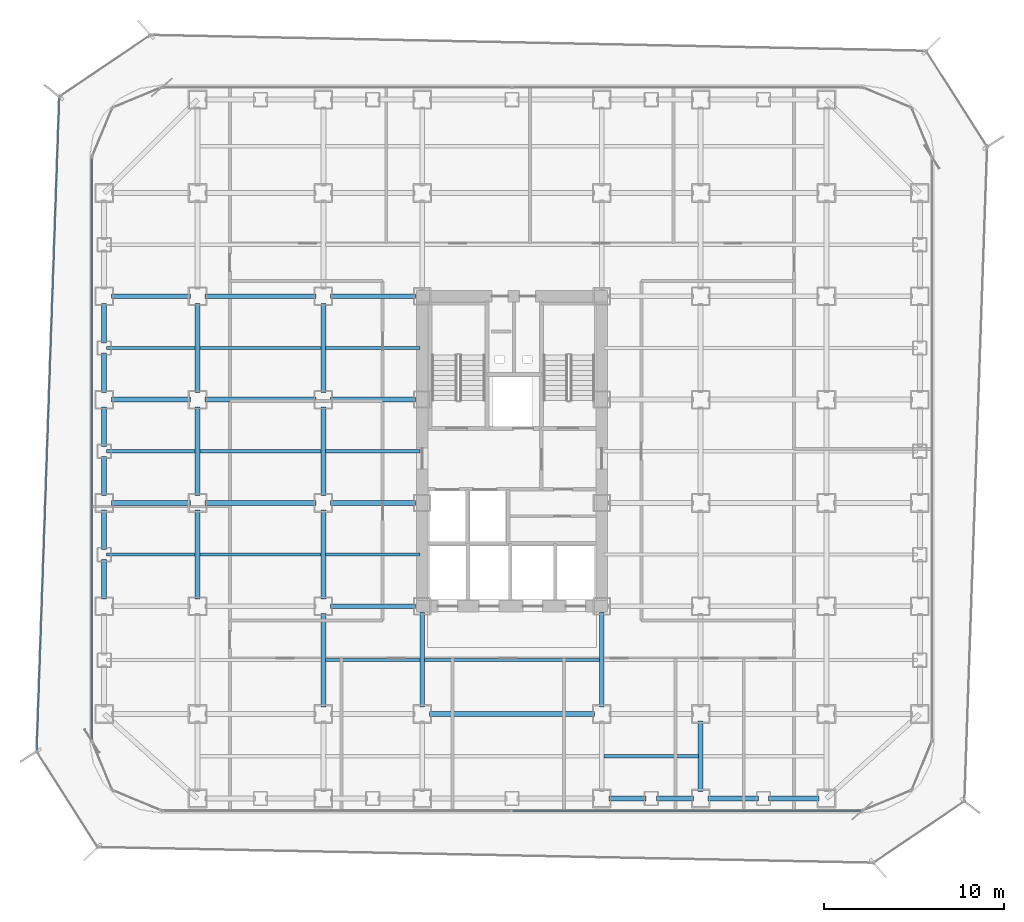
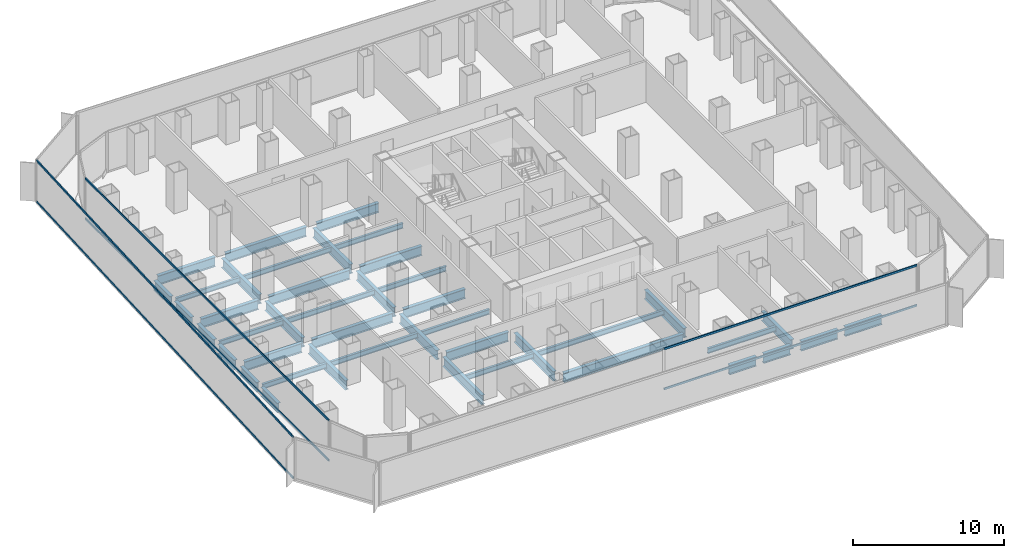
# One storey, part 5 of 22: 43 beams, 6 members, 3 elements without a shape of their own.
"""IFC4 building model written with IfcOpenShell, lengths in metres."""

from ifc_helpers import new_model, si_unit, direction, frame, origin, origin_2d, place, context, subcontext, project, spatial, hollow_rectangle, i_section, extrude, source, transform, mapped, material, layer, layer_set, material_profile, profile_set, type_object, element, aggregate, save


model = new_model("IFC4")

# Units and contexts
model_context = context("Model", 3, precision=1e-05, world=origin(), true_north=direction((0.0, 1.0)))
body_context = subcontext(model_context, "Body", "Model", "MODEL_VIEW")
ifc_project = project(units=[si_unit("LENGTHUNIT", "METRE"), si_unit("AREAUNIT", "SQUARE_METRE"), si_unit("VOLUMEUNIT", "CUBIC_METRE"), si_unit("PLANEANGLEUNIT", "RADIAN"), si_unit("MASSUNIT", "GRAM", prefix="KILO")], contexts=[model_context])

# Site, building, storey
site_placement = place(None, origin())
site = spatial("IfcSite", under=ifc_project, at=site_placement, CompositionType="ELEMENT")
building_placement = place(site_placement, origin())
building = spatial("IfcBuilding", under=site, at=building_placement, Name="Kolveth Station Tower", CompositionType="ELEMENT")
storey_placement = place(building_placement, frame((0.0, 0.0, 65.699951171875)))
storey = spatial("IfcBuildingStorey", under=building, at=storey_placement, Name="L17", CompositionType="ELEMENT", Elevation=65.699951171875)

# Beams
ifc_material_1 = material(Name="Steel S355", Category="steel")
ifc_material_profile_1 = material_profile(ifc_material_1, i_section(OverallWidth=0.26904296875, OverallDepth=0.77490234375, WebThickness=0.01708984375, FlangeThickness=0.0283203125, at=origin_2d()), Name="W760x220")
ifc_profile_set_1 = profile_set([ifc_material_profile_1], Name="Steel S355")
beam_type_1 = type_object("IfcBeamType", Name="Beam_SP1", PredefinedType="SPANDREL", material=ifc_profile_set_1)
shared_shape_1 = source(origin(), body_context, "Body", "SweptSolid", [
    extrude(i_section(OverallWidth=0.26904296875, OverallDepth=0.77490234375, WebThickness=0.01708984375, FlangeThickness=0.0283203125, at=origin_2d()), origin(), (0.0, 0.0, 1.0), 2.820068359375),
])
for number, where, z_axis, x_axis, name in (
    (1, (34.39990234375, 0.800048828125, -0.66748046875), (1.0, 0.0, 0.0), (0.0, 1.0, 0.0), "L17 Perimeter Spandrel BM-L17-PS-9"),
    (2, (37.780029296875, 0.800048828125, -0.66748046875), (1.0, 0.0, 0.0), (0.0, 1.0, 0.0), "L17 Perimeter Spandrel BM-L17-PS-10"),
):
    element("IfcBeam", number, at=place(storey_placement, frame(where, z_axis=z_axis, x_axis=x_axis)), inside=storey, type_object=beam_type_1, Name=name, PredefinedType="SPANDREL", context=body_context, shape_type="MappedRepresentation", body=[
        mapped(shared_shape_1, transform((0.0, 0.0, 0.0), x_axis=(1.0, 0.0, 0.0), y_axis=(0.0, 1.0, 0.0), z_axis=(0.0, 0.0, 1.0), scale=1.0)),
    ])
shared_shape_2 = source(origin(), body_context, "Body", "SweptSolid", [
    extrude(i_section(OverallWidth=0.26904296875, OverallDepth=0.77490234375, WebThickness=0.01708984375, FlangeThickness=0.0283203125, at=origin_2d()), origin(), (0.0, 0.0, 1.0), 2.070068359375),
])
for number, where, z_axis, x_axis, name in (
    (3, (28.89990234375, 0.800048828125, -0.66748046875), (1.0, 0.0, 0.0), (0.0, 1.0, 0.0), "L17 Perimeter Spandrel BM-L17-PS-7"),
    (4, (31.530029296875, 0.800048828125, -0.66748046875), (1.0, 0.0, 0.0), (0.0, 1.0, 0.0), "L17 Perimeter Spandrel BM-L17-PS-8"),
):
    element("IfcBeam", number, at=place(storey_placement, frame(where, z_axis=z_axis, x_axis=x_axis)), inside=storey, type_object=beam_type_1, Name=name, PredefinedType="SPANDREL", context=body_context, shape_type="MappedRepresentation", body=[
        mapped(shared_shape_2, transform((0.0, 0.0, 0.0), x_axis=(1.0, 0.0, 0.0), y_axis=(0.0, 1.0, 0.0), z_axis=(0.0, 0.0, 1.0), scale=1.0)),
    ])
shared_shape_3 = source(origin(), body_context, "Body", "SweptSolid", [
    extrude(i_section(OverallWidth=0.26904296875, OverallDepth=0.77490234375, WebThickness=0.01708984375, FlangeThickness=0.0283203125, at=origin_2d()), origin(), (0.0, 0.0, 1.0), 2.2001953125),
])
for number, where, z_axis, x_axis, name in (
    (5, (0.800048828125, 11.89990234375, -0.66748046875), (0.0, 1.0, 0.0), (-1.0, 0.0, 0.0), "L17 Perimeter Spandrel BM-L17-PW-3"),
    (6, (0.800048828125, 20.39990234375, -0.66748046875), (0.0, 1.0, 0.0), (-1.0, 0.0, 0.0), "L17 Perimeter Spandrel BM-L17-PW-6"),
    (7, (0.800048828125, 23.39990234375, -0.66748046875), (0.0, 1.0, 0.0), (-1.0, 0.0, 0.0), "L17 Perimeter Spandrel BM-L17-PW-7"),
):
    element("IfcBeam", number, at=place(storey_placement, frame(where, z_axis=z_axis, x_axis=x_axis)), inside=storey, type_object=beam_type_1, Name=name, PredefinedType="SPANDREL", context=body_context, shape_type="MappedRepresentation", body=[
        mapped(shared_shape_3, transform((0.0, 0.0, 0.0), x_axis=(1.0, 0.0, 0.0), y_axis=(0.0, 1.0, 0.0), z_axis=(0.0, 0.0, 1.0), scale=1.0)),
    ])
shared_shape_4 = source(origin(), body_context, "Body", "SweptSolid", [
    extrude(i_section(OverallWidth=0.26904296875, OverallDepth=0.77490234375, WebThickness=0.01708984375, FlangeThickness=0.0283203125, at=origin_2d()), origin(), (0.0, 0.0, 1.0), 2.190185546875),
])
for number, where, z_axis, x_axis, name in (
    (8, (0.800048828125, 14.659912109375, -0.66748046875), (0.0, 1.0, 0.0), (-1.0, 0.0, 0.0), "L17 Perimeter Spandrel BM-L17-PW-4"),
    (9, (0.800048828125, 17.64990234375, -0.66748046875), (0.0, 1.0, 0.0), (-1.0, 0.0, 0.0), "L17 Perimeter Spandrel BM-L17-PW-5"),
    (10, (0.800048828125, 26.159912109375, -0.66748046875), (0.0, 1.0, 0.0), (-1.0, 0.0, 0.0), "L17 Perimeter Spandrel BM-L17-PW-8"),
):
    element("IfcBeam", number, at=place(storey_placement, frame(where, z_axis=z_axis, x_axis=x_axis)), inside=storey, type_object=beam_type_1, Name=name, PredefinedType="SPANDREL", context=body_context, shape_type="MappedRepresentation", body=[
        mapped(shared_shape_4, transform((0.0, 0.0, 0.0), x_axis=(1.0, 0.0, 0.0), y_axis=(0.0, 1.0, 0.0), z_axis=(0.0, 0.0, 1.0), scale=1.0)),
    ])
ifc_material_profile_2 = material_profile(ifc_material_1, i_section(OverallWidth=0.26708984375, OverallDepth=0.76611328125, WebThickness=0.014892578125, FlangeThickness=0.023681640625, at=origin_2d()), Name="W760x185")
ifc_profile_set_2 = profile_set([ifc_material_profile_2], Name="Steel S355")
beam_type_2 = type_object("IfcBeamType", Name="Beam_B3", PredefinedType="BEAM", material=ifc_profile_set_2)
shared_shape_5 = source(origin(), body_context, "Body", "SweptSolid", [
    extrude(i_section(OverallWidth=0.26708984375, OverallDepth=0.76611328125, WebThickness=0.014892578125, FlangeThickness=0.023681640625, at=origin_2d()), origin(), (0.0, 0.0, 1.0), 4.400146484375),
])
for number, where, z_axis, x_axis, name in (
    (11, (1.199951171875, 17.25, -0.662841796875), (1.0, 0.0, 0.0), (0.0, 1.0, 0.0), "L17 Primary Girder BM-L17-GY172-1"),
    (12, (1.199951171875, 23.0, -0.662841796875), (1.0, 0.0, 0.0), (0.0, 1.0, 0.0), "L17 Primary Girder BM-L17-GY230-1"),
    (13, (1.199951171875, 28.75, -0.662841796875), (1.0, 0.0, 0.0), (0.0, 1.0, 0.0), "L17 Primary Girder BM-L17-GY287-1"),
):
    element("IfcBeam", number, at=place(storey_placement, frame(where, z_axis=z_axis, x_axis=x_axis)), inside=storey, type_object=beam_type_2, Name=name, PredefinedType="BEAM", context=body_context, shape_type="MappedRepresentation", body=[
        mapped(shared_shape_5, transform((0.0, 0.0, 0.0), x_axis=(1.0, 0.0, 0.0), y_axis=(0.0, 1.0, 0.0), z_axis=(0.0, 0.0, 1.0), scale=1.0)),
    ])
shared_shape_6 = source(origin(), body_context, "Body", "SweptSolid", [
    extrude(i_section(OverallWidth=0.26708984375, OverallDepth=0.76611328125, WebThickness=0.014892578125, FlangeThickness=0.023681640625, at=origin_2d()), origin(), (0.0, 0.0, 1.0), 6.2001953125),
])
for number, where, z_axis, x_axis, name in (
    (14, (6.39990234375, 17.25, -0.662841796875), (1.0, 0.0, 0.0), (0.0, 1.0, 0.0), "L17 Primary Girder BM-L17-GY172-2"),
    (15, (6.39990234375, 23.0, -0.662841796875), (1.0, 0.0, 0.0), (0.0, 1.0, 0.0), "L17 Primary Girder BM-L17-GY230-2"),
    (16, (6.39990234375, 28.75, -0.662841796875), (1.0, 0.0, 0.0), (0.0, 1.0, 0.0), "L17 Primary Girder BM-L17-GY287-2"),
):
    element("IfcBeam", number, at=place(storey_placement, frame(where, z_axis=z_axis, x_axis=x_axis)), inside=storey, type_object=beam_type_2, Name=name, PredefinedType="BEAM", context=body_context, shape_type="MappedRepresentation", body=[
        mapped(shared_shape_6, transform((0.0, 0.0, 0.0), x_axis=(1.0, 0.0, 0.0), y_axis=(0.0, 1.0, 0.0), z_axis=(0.0, 0.0, 1.0), scale=1.0)),
    ])
shared_shape_7 = source(origin(), body_context, "Body", "SweptSolid", [
    extrude(i_section(OverallWidth=0.26708984375, OverallDepth=0.76611328125, WebThickness=0.014892578125, FlangeThickness=0.023681640625, at=origin_2d()), origin(), (0.0, 0.0, 1.0), 9.2001953125),
])
beam_1_placement = place(storey_placement, frame((18.89990234375, 5.5, -0.662841796875), z_axis=(1.0, 0.0, 0.0), x_axis=(0.0, 1.0, 0.0)))
element("IfcBeam", 17, at=beam_1_placement, inside=storey, type_object=beam_type_2, Name="L17 Primary Girder BM-L17-GY55-4", PredefinedType="BEAM", context=body_context, shape_type="MappedRepresentation", body=[
    mapped(shared_shape_7, transform((0.0, 0.0, 0.0), x_axis=(1.0, 0.0, 0.0), y_axis=(0.0, 1.0, 0.0), z_axis=(0.0, 0.0, 1.0), scale=1.0)),
])
shared_shape_8 = source(origin(), body_context, "Body", "SweptSolid", [
    extrude(i_section(OverallWidth=0.26708984375, OverallDepth=0.76611328125, WebThickness=0.014892578125, FlangeThickness=0.023681640625, at=origin_2d()), origin(), (0.0, 0.0, 1.0), 4.739990234375),
])
for number, where, z_axis, x_axis, name in (
    (18, (13.39990234375, 11.5, -0.662841796875), (1.0, 0.0, 0.0), (0.0, 1.0, 0.0), "L17 Primary Girder BM-L17-GY115-3"),
    (19, (13.39990234375, 17.25, -0.662841796875), (1.0, 0.0, 0.0), (0.0, 1.0, 0.0), "L17 Primary Girder BM-L17-GY172-3"),
    (20, (13.39990234375, 23.0, -0.662841796875), (1.0, 0.0, 0.0), (0.0, 1.0, 0.0), "L17 Primary Girder BM-L17-GY230-3"),
    (21, (13.39990234375, 28.75, -0.662841796875), (1.0, 0.0, 0.0), (0.0, 1.0, 0.0), "L17 Primary Girder BM-L17-GY287-3"),
):
    element("IfcBeam", number, at=place(storey_placement, frame(where, z_axis=z_axis, x_axis=x_axis)), inside=storey, type_object=beam_type_2, Name=name, PredefinedType="BEAM", context=body_context, shape_type="MappedRepresentation", body=[
        mapped(shared_shape_8, transform((0.0, 0.0, 0.0), x_axis=(1.0, 0.0, 0.0), y_axis=(0.0, 1.0, 0.0), z_axis=(0.0, 0.0, 1.0), scale=1.0)),
    ])
shared_shape_9 = source(origin(), body_context, "Body", "SweptSolid", [
    extrude(i_section(OverallWidth=0.26708984375, OverallDepth=0.76611328125, WebThickness=0.014892578125, FlangeThickness=0.023681640625, at=origin_2d()), origin(), (0.0, 0.0, 1.0), 3.900146484375),
])
beam_2_placement = place(storey_placement, frame((34.0, 1.199951171875, -0.662841796875), z_axis=(0.0, 1.0, 0.0), x_axis=(-1.0, 0.0, 0.0)))
element("IfcBeam", 22, at=beam_2_placement, inside=storey, type_object=beam_type_2, Name="L17 Primary Girder BM-L17-GX340-1", PredefinedType="BEAM", context=body_context, shape_type="MappedRepresentation", body=[
    mapped(shared_shape_9, transform((0.0, 0.0, 0.0), x_axis=(1.0, 0.0, 0.0), y_axis=(0.0, 1.0, 0.0), z_axis=(0.0, 0.0, 1.0), scale=1.0)),
])
shared_shape_10 = source(origin(), body_context, "Body", "SweptSolid", [
    extrude(i_section(OverallWidth=0.26708984375, OverallDepth=0.76611328125, WebThickness=0.014892578125, FlangeThickness=0.023681640625, at=origin_2d()), origin(), (0.0, 0.0, 1.0), 5.2001953125),
])
beam_3_placement = place(storey_placement, frame((13.0, 5.89990234375, -0.662841796875), z_axis=(0.0, 1.0, 0.0), x_axis=(-1.0, 0.0, 0.0)))
element("IfcBeam", 23, at=beam_3_placement, inside=storey, type_object=beam_type_2, Name="L17 Primary Girder BM-L17-GX130-2", PredefinedType="BEAM", context=body_context, shape_type="MappedRepresentation", body=[
    mapped(shared_shape_10, transform((0.0, 0.0, 0.0), x_axis=(1.0, 0.0, 0.0), y_axis=(0.0, 1.0, 0.0), z_axis=(0.0, 0.0, 1.0), scale=1.0)),
])
shared_shape_11 = source(origin(), body_context, "Body", "SweptSolid", [
    extrude(i_section(OverallWidth=0.26708984375, OverallDepth=0.76611328125, WebThickness=0.014892578125, FlangeThickness=0.023681640625, at=origin_2d()), origin(), (0.0, 0.0, 1.0), 4.9501953125),
])
for number, where, z_axis, x_axis, name in (
    (24, (6.0, 11.89990234375, -0.662841796875), (0.0, 1.0, 0.0), (-1.0, 0.0, 0.0), "L17 Primary Girder BM-L17-GX60-3"),
    (25, (6.0, 17.64990234375, -0.662841796875), (0.0, 1.0, 0.0), (-1.0, 0.0, 0.0), "L17 Primary Girder BM-L17-GX60-4"),
    (26, (6.0, 23.39990234375, -0.662841796875), (0.0, 1.0, 0.0), (-1.0, 0.0, 0.0), "L17 Primary Girder BM-L17-GX60-5"),
    (27, (13.0, 11.89990234375, -0.662841796875), (0.0, 1.0, 0.0), (-1.0, 0.0, 0.0), "L17 Primary Girder BM-L17-GX130-3"),
    (28, (13.0, 17.64990234375, -0.662841796875), (0.0, 1.0, 0.0), (-1.0, 0.0, 0.0), "L17 Primary Girder BM-L17-GX130-4"),
    (29, (13.0, 23.39990234375, -0.662841796875), (0.0, 1.0, 0.0), (-1.0, 0.0, 0.0), "L17 Primary Girder BM-L17-GX130-5"),
):
    element("IfcBeam", number, at=place(storey_placement, frame(where, z_axis=z_axis, x_axis=x_axis)), inside=storey, type_object=beam_type_2, Name=name, PredefinedType="BEAM", context=body_context, shape_type="MappedRepresentation", body=[
        mapped(shared_shape_11, transform((0.0, 0.0, 0.0), x_axis=(1.0, 0.0, 0.0), y_axis=(0.0, 1.0, 0.0), z_axis=(0.0, 0.0, 1.0), scale=1.0)),
    ])
shared_shape_12 = source(origin(), body_context, "Body", "SweptSolid", [
    extrude(i_section(OverallWidth=0.26708984375, OverallDepth=0.76611328125, WebThickness=0.014892578125, FlangeThickness=0.023681640625, at=origin_2d()), origin(), (0.0, 0.0, 1.0), 5.239990234375),
])
for number, where, z_axis, x_axis, name in (
    (30, (18.5, 5.89990234375, -0.662841796875), (0.0, 1.0, 0.0), (-1.0, 0.0, 0.0), "L17 Primary Girder BM-L17-GX185-2"),
    (31, (28.5, 5.89990234375, -0.662841796875), (0.0, 1.0, 0.0), (-1.0, 0.0, 0.0), "L17 Primary Girder BM-L17-GX285-2"),
):
    element("IfcBeam", number, at=place(storey_placement, frame(where, z_axis=z_axis, x_axis=x_axis)), inside=storey, type_object=beam_type_2, Name=name, PredefinedType="BEAM", context=body_context, shape_type="MappedRepresentation", body=[
        mapped(shared_shape_12, transform((0.0, 0.0, 0.0), x_axis=(1.0, 0.0, 0.0), y_axis=(0.0, 1.0, 0.0), z_axis=(0.0, 0.0, 1.0), scale=1.0)),
    ])
ifc_material_profile_3 = material_profile(ifc_material_1, i_section(OverallWidth=0.177978515625, OverallDepth=0.406982421875, WebThickness=0.0078125, FlangeThickness=0.0126953125, at=origin_2d()), Name="W410x60")
ifc_profile_set_3 = profile_set([ifc_material_profile_3], Name="Steel S355")
beam_type_3 = type_object("IfcBeamType", Name="Beam_J1", PredefinedType="JOIST", material=ifc_profile_set_3)
shared_shape_13 = source(origin(), body_context, "Body", "SweptSolid", [
    extrude(i_section(OverallWidth=0.177978515625, OverallDepth=0.406982421875, WebThickness=0.0078125, FlangeThickness=0.0126953125, at=origin_2d()), origin(), (0.0, 0.0, 1.0), 4.935791015625),
])
for number, where, z_axis, x_axis, name in (
    (32, (0.9326171875, 14.375, -0.4833984375), (1.0, 0.0, 0.0), (0.0, 1.0, 0.0), "L17 Secondary Joist JST-L17-1-3"),
    (33, (0.9326171875, 20.125, -0.4833984375), (1.0, 0.0, 0.0), (0.0, 1.0, 0.0), "L17 Secondary Joist JST-L17-1-4"),
    (34, (0.9326171875, 25.875, -0.4833984375), (1.0, 0.0, 0.0), (0.0, 1.0, 0.0), "L17 Secondary Joist JST-L17-1-5"),
):
    element("IfcBeam", number, at=place(storey_placement, frame(where, z_axis=z_axis, x_axis=x_axis)), inside=storey, type_object=beam_type_3, Name=name, PredefinedType="JOIST", context=body_context, shape_type="MappedRepresentation", body=[
        mapped(shared_shape_13, transform((0.0, 0.0, 0.0), x_axis=(1.0, 0.0, 0.0), y_axis=(0.0, 1.0, 0.0), z_axis=(0.0, 0.0, 1.0), scale=1.0)),
    ])
shared_shape_14 = source(origin(), body_context, "Body", "SweptSolid", [
    extrude(i_section(OverallWidth=0.177978515625, OverallDepth=0.406982421875, WebThickness=0.0078125, FlangeThickness=0.0126953125, at=origin_2d()), origin(), (0.0, 0.0, 1.0), 6.73681640625),
])
for number, where, z_axis, x_axis, name in (
    (35, (6.131591796875, 14.375, -0.4833984375), (1.0, 0.0, 0.0), (0.0, 1.0, 0.0), "L17 Secondary Joist JST-L17-2-3"),
    (36, (6.131591796875, 20.125, -0.4833984375), (1.0, 0.0, 0.0), (0.0, 1.0, 0.0), "L17 Secondary Joist JST-L17-2-4"),
    (37, (6.131591796875, 25.875, -0.4833984375), (1.0, 0.0, 0.0), (0.0, 1.0, 0.0), "L17 Secondary Joist JST-L17-2-5"),
):
    element("IfcBeam", number, at=place(storey_placement, frame(where, z_axis=z_axis, x_axis=x_axis)), inside=storey, type_object=beam_type_3, Name=name, PredefinedType="JOIST", context=body_context, shape_type="MappedRepresentation", body=[
        mapped(shared_shape_14, transform((0.0, 0.0, 0.0), x_axis=(1.0, 0.0, 0.0), y_axis=(0.0, 1.0, 0.0), z_axis=(0.0, 0.0, 1.0), scale=1.0)),
    ])
shared_shape_15 = source(origin(), body_context, "Body", "SweptSolid", [
    extrude(i_section(OverallWidth=0.177978515625, OverallDepth=0.406982421875, WebThickness=0.0078125, FlangeThickness=0.0126953125, at=origin_2d()), origin(), (0.0, 0.0, 1.0), 5.23681640625),
])
for number, where, z_axis, x_axis, name in (
    (38, (13.131591796875, 8.5, -0.4833984375), (1.0, 0.0, 0.0), (0.0, 1.0, 0.0), "L17 Secondary Joist JST-L17-3-2"),
    (39, (13.131591796875, 14.375, -0.4833984375), (1.0, 0.0, 0.0), (0.0, 1.0, 0.0), "L17 Secondary Joist JST-L17-3-3"),
    (40, (13.131591796875, 20.125, -0.4833984375), (1.0, 0.0, 0.0), (0.0, 1.0, 0.0), "L17 Secondary Joist JST-L17-3-4"),
    (41, (13.131591796875, 25.875, -0.4833984375), (1.0, 0.0, 0.0), (0.0, 1.0, 0.0), "L17 Secondary Joist JST-L17-3-5"),
    (42, (28.631591796875, 3.14990234375, -0.4833984375), (1.0, 0.0, 0.0), (0.0, 1.0, 0.0), "L17 Secondary Joist JST-L17-5-1"),
):
    element("IfcBeam", number, at=place(storey_placement, frame(where, z_axis=z_axis, x_axis=x_axis)), inside=storey, type_object=beam_type_3, Name=name, PredefinedType="JOIST", context=body_context, shape_type="MappedRepresentation", body=[
        mapped(shared_shape_15, transform((0.0, 0.0, 0.0), x_axis=(1.0, 0.0, 0.0), y_axis=(0.0, 1.0, 0.0), z_axis=(0.0, 0.0, 1.0), scale=1.0)),
    ])
shared_shape_16 = source(origin(), body_context, "Body", "SweptSolid", [
    extrude(i_section(OverallWidth=0.177978515625, OverallDepth=0.406982421875, WebThickness=0.0078125, FlangeThickness=0.0126953125, at=origin_2d()), origin(), (0.0, 0.0, 1.0), 9.73681640625),
])
beam_4_placement = place(storey_placement, frame((18.631591796875, 8.5, -0.4833984375), z_axis=(1.0, 0.0, 0.0), x_axis=(0.0, 1.0, 0.0)))
element("IfcBeam", 43, at=beam_4_placement, inside=storey, type_object=beam_type_3, Name="L17 Secondary Joist JST-L17-4-2", PredefinedType="JOIST", context=body_context, shape_type="MappedRepresentation", body=[
    mapped(shared_shape_16, transform((0.0, 0.0, 0.0), x_axis=(1.0, 0.0, 0.0), y_axis=(0.0, 1.0, 0.0), z_axis=(0.0, 0.0, 1.0), scale=1.0)),
])

# Curtain wall, members
ifc_material_2 = material(Name="Aluminium 6063-T6 and low-E dark glass", Category="aluminium")
ifc_layer_1 = layer(ifc_material_2, 0.179931640625)
ifc_layer_set_1 = layer_set([ifc_layer_1], Name="Aluminium 6063-T6 and low-E dark glass")
curtain_wall_type_1 = type_object("IfcCurtainWallType", Name="CurtainWall_CW-Z1", PredefinedType="NOTDEFINED", material=ifc_layer_set_1)
curtain_wall_1_placement = place(storey_placement, origin())
curtain_wall_1 = element("IfcCurtainWall", 44, at=curtain_wall_1_placement, inside=storey, type_object=curtain_wall_type_1, Name="L17 Inner Thermal Curtain Wall 9", PredefinedType="NOTDEFINED")
ifc_material_3 = material(Name="Black anodized aluminium 6063-T6", Category="aluminium")
ifc_material_profile_4 = material_profile(ifc_material_3, hollow_rectangle(XDim=0.074951171875, YDim=0.159912109375, WallThickness=0.0048828125, at=origin_2d()), Name="ALU-75x160x5")
ifc_profile_set_4 = profile_set([ifc_material_profile_4], Name="Black anodized aluminium 6063-T6")
member_type_1 = type_object("IfcMemberType", Name="Transom_TR1", PredefinedType="USERDEFINED", material=ifc_profile_set_4)
shared_shape_17 = source(origin(), body_context, "Body", "SweptSolid", [
    extrude(hollow_rectangle(XDim=0.074951171875, YDim=0.159912109375, WallThickness=0.0048828125, at=origin_2d()), origin(), (0.0, 0.0, 1.0), 32.35009765625),
])
member_1_placement = place(storey_placement, frame((0.1201171875, 36.425048828125, 0.03759765625), z_axis=(0.0, -1.0, 0.0), x_axis=(1.0, 0.0, 0.0)))
member_1 = element("IfcMember", 45, at=member_1_placement, type_object=member_type_1, Name="CW-Z1 transom 1.1", ObjectType="TRANSOM", PredefinedType="USERDEFINED", context=body_context, shape_type="MappedRepresentation", body=[
    mapped(shared_shape_17, transform((0.0, 0.0, 0.0), x_axis=(1.0, 0.0, 0.0), y_axis=(0.0, 1.0, 0.0), z_axis=(0.0, 0.0, 1.0), scale=1.0)),
])
member_2_placement = place(storey_placement, frame((0.1201171875, 36.425048828125, 3.282470703125), z_axis=(0.0, -1.0, 0.0), x_axis=(1.0, 0.0, 0.0)))
member_2 = element("IfcMember", 46, at=member_2_placement, type_object=member_type_1, Name="CW-Z1 transom 1.2", ObjectType="TRANSOM", PredefinedType="USERDEFINED", context=body_context, shape_type="MappedRepresentation", body=[
    mapped(shared_shape_17, transform((0.0, 0.0, 0.0), x_axis=(1.0, 0.0, 0.0), y_axis=(0.0, 1.0, 0.0), z_axis=(0.0, 0.0, 1.0), scale=1.0)),
])
aggregate(curtain_wall_1, [member_1, member_2])

curtain_wall_2_placement = place(storey_placement, origin())
curtain_wall_2 = element("IfcCurtainWall", 47, at=curtain_wall_2_placement, inside=storey, type_object=curtain_wall_type_1, Name="L17 Inner Thermal Curtain Wall 12", PredefinedType="NOTDEFINED")
shared_shape_18 = source(origin(), body_context, "Body", "SweptSolid", [
    extrude(hollow_rectangle(XDim=0.074951171875, YDim=0.159912109375, WallThickness=0.0048828125, at=origin_2d()), origin(), (0.0, 0.0, 1.0), 19.387451171875),
])
member_3_placement = place(storey_placement, frame((23.53759765625, 0.1201171875, 0.03759765625), z_axis=(1.0, 0.0, 0.0), x_axis=(0.0, 1.0, 0.0)))
member_3 = element("IfcMember", 48, at=member_3_placement, type_object=member_type_1, Name="CW-Z1 transom 2.1", ObjectType="TRANSOM", PredefinedType="USERDEFINED", context=body_context, shape_type="MappedRepresentation", body=[
    mapped(shared_shape_18, transform((0.0, 0.0, 0.0), x_axis=(1.0, 0.0, 0.0), y_axis=(0.0, 1.0, 0.0), z_axis=(0.0, 0.0, 1.0), scale=1.0)),
])
member_4_placement = place(storey_placement, frame((23.53759765625, 0.1201171875, 3.282470703125), z_axis=(1.0, 0.0, 0.0), x_axis=(0.0, 1.0, 0.0)))
member_4 = element("IfcMember", 49, at=member_4_placement, type_object=member_type_1, Name="CW-Z1 transom 2.2", ObjectType="TRANSOM", PredefinedType="USERDEFINED", context=body_context, shape_type="MappedRepresentation", body=[
    mapped(shared_shape_18, transform((0.0, 0.0, 0.0), x_axis=(1.0, 0.0, 0.0), y_axis=(0.0, 1.0, 0.0), z_axis=(0.0, 0.0, 1.0), scale=1.0)),
])
aggregate(curtain_wall_2, [member_3, member_4])

ifc_material_4 = material(Name="Black anodized aluminium 6063-T6 and dark solar glass", Category="aluminium")
ifc_layer_2 = layer(ifc_material_4, 0.159912109375)
ifc_layer_set_2 = layer_set([ifc_layer_2], Name="Black anodized aluminium 6063-T6 and dark solar glass")
curtain_wall_type_2 = type_object("IfcCurtainWallType", Name="OUTER SKIN CW-OS", PredefinedType="NOTDEFINED", material=ifc_layer_set_2)
curtain_wall_3_placement = place(storey_placement, origin())
curtain_wall_3 = element("IfcCurtainWall", 50, at=curtain_wall_3_placement, inside=storey, type_object=curtain_wall_type_2, Name="L17 Outer Ventilated Skin Curtain Wall 6", PredefinedType="NOTDEFINED")
ifc_material_profile_5 = material_profile(ifc_material_3, hollow_rectangle(XDim=0.080078125, YDim=0.14990234375, WallThickness=0.0048828125, at=origin_2d()), Name="ALU-80x150x5")
ifc_profile_set_5 = profile_set([ifc_material_profile_5], Name="Black anodized aluminium 6063-T6")
member_type_2 = type_object("IfcMemberType", Name="Transom_TR-OS", PredefinedType="USERDEFINED", material=ifc_profile_set_5)
shared_shape_19 = source(origin(), body_context, "Body", "SweptSolid", [
    extrude(hollow_rectangle(XDim=0.080078125, YDim=0.14990234375, WallThickness=0.0048828125, at=origin_2d()), origin(), (0.0, 0.0, 1.0), 36.280029296875),
])
member_5_placement = place(storey_placement, frame((-1.6953125, 39.767822265625, 0.0400390625), z_axis=(-0.034588822375, -0.999401627659, 0.0), x_axis=(0.999401627659, -0.034588822375, 0.0)))
member_5 = element("IfcMember", 51, at=member_5_placement, type_object=member_type_2, Name="CW-OS transom 1.1", ObjectType="TRANSOM", PredefinedType="USERDEFINED", context=body_context, shape_type="MappedRepresentation", body=[
    mapped(shared_shape_19, transform((0.0, 0.0, 0.0), x_axis=(1.0, 0.0, 0.0), y_axis=(0.0, 1.0, 0.0), z_axis=(0.0, 0.0, 1.0), scale=1.0)),
])
member_6_placement = place(storey_placement, frame((-1.6953125, 39.767822265625, 3.35009765625), z_axis=(-0.034588822375, -0.999401627659, 0.0), x_axis=(0.999401627659, -0.034588822375, 0.0)))
member_6 = element("IfcMember", 52, at=member_6_placement, type_object=member_type_2, Name="CW-OS transom 1.2", ObjectType="TRANSOM", PredefinedType="USERDEFINED", context=body_context, shape_type="MappedRepresentation", body=[
    mapped(shared_shape_19, transform((0.0, 0.0, 0.0), x_axis=(1.0, 0.0, 0.0), y_axis=(0.0, 1.0, 0.0), z_axis=(0.0, 0.0, 1.0), scale=1.0)),
])
aggregate(curtain_wall_3, [member_5, member_6])

save(model, "model.ifc")
